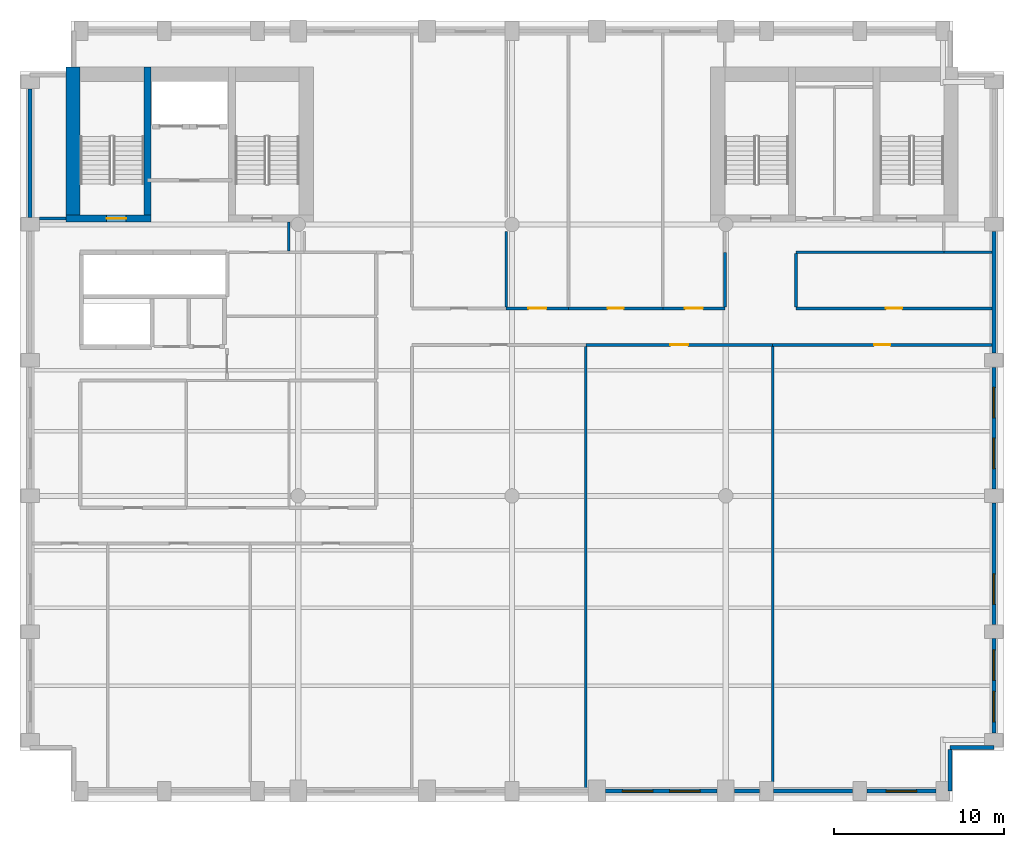
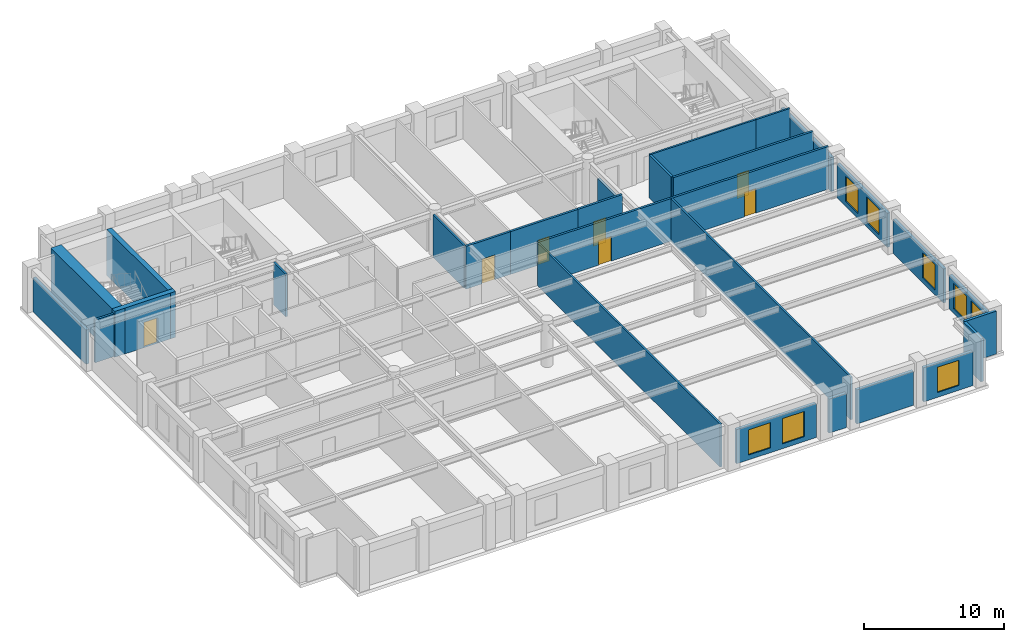
# One storey, part 4 of 8: 29 walls, 8 windows, 7 doors, 15 openings.
"""IFC4 building model written with IfcOpenShell, lengths in metres."""

from ifc_helpers import new_model, si_unit, direction, frame, frame_2d, origin, place, context, subcontext, project, spatial, rectangle, extrude, material, layer, layer_set, type_object, element, fill, save


model = new_model("IFC4")

# Units and contexts
model_context = context("Model", 3, precision=1e-05, world=origin(), true_north=direction((0.0, 1.0)))
body_context = subcontext(model_context, "Body", "Model", "MODEL_VIEW")
ifc_project = project(units=[si_unit("LENGTHUNIT", "METRE"), si_unit("AREAUNIT", "SQUARE_METRE"), si_unit("VOLUMEUNIT", "CUBIC_METRE"), si_unit("PLANEANGLEUNIT", "RADIAN"), si_unit("MASSUNIT", "GRAM", prefix="KILO")], contexts=[model_context])

# Site, building, storey
site_placement = place(None, origin())
site = spatial("IfcSite", under=ifc_project, at=site_placement, CompositionType="ELEMENT")
building_placement = place(site_placement, origin())
building = spatial("IfcBuilding", under=site, at=building_placement, Name="Sulina Concourse Tower", CompositionType="ELEMENT")
storey_placement = place(building_placement, frame((0.0, 0.0, 174.60009765625)))
storey = spatial("IfcBuildingStorey", under=building, at=storey_placement, Name="L42", CompositionType="ELEMENT", Elevation=174.60009765625)

# Wall, openings, windows
ifc_material_1 = material(Name="Precast concrete C50/60", Category="concrete")
ifc_layer_1 = layer(ifc_material_1, 0.239990234375)
ifc_layer_set_1 = layer_set([ifc_layer_1], Name="Precast concrete C50/60")
wall_type_1 = type_object("IfcWallType", Name="Crown Precast Masonry-Frame Facade Wall 240mm", PredefinedType="SOLIDWALL", material=ifc_layer_set_1)
wall_1_placement = place(storey_placement, frame((41.080078125, 0.60009765625, 0.0), z_axis=(0.0, 0.0, 1.0), x_axis=(-1.0, 0.0, 0.0)))
wall_1 = element("IfcWall", 1, at=wall_1_placement, inside=storey, type_object=wall_type_1, Name="L42 exterior precast wall S7", PredefinedType="SOLIDWALL", context=body_context, shape_type="SweptSolid", body=[
    extrude(rectangle(XDim=6.56005859375, YDim=0.239990234375, at=frame_2d((3.280029296875, 0.0))), origin(), (0.0, 0.0, 1.0), 2.974853515625),
])
opening_1_placement = place(wall_1_placement, frame((0.98681640625, 0.0, 0.419921875)))
opening_1 = element("IfcOpeningElement", 2, at=opening_1_placement, cuts=wall_1, Name="Opening WN-25", PredefinedType="OPENING", context=body_context, shape_type="SweptSolid", body=[
    extrude(rectangle(XDim=1.800048828125, YDim=2.199951171875, at=frame_2d((0.89990234375, 1.10009765625))), frame((0.0, 0.1298828125, 0.0), z_axis=(0.0, -1.0, 0.0), x_axis=(1.0, 0.0, 0.0)), (0.0, 0.0, 1.0), 0.260009765625),
])
opening_2_placement = place(wall_1_placement, frame((3.773193359375, 0.0, 0.419921875)))
opening_2 = element("IfcOpeningElement", 3, at=opening_2_placement, cuts=wall_1, Name="Opening WN-25", PredefinedType="OPENING", context=body_context, shape_type="SweptSolid", body=[
    extrude(rectangle(XDim=1.800048828125, YDim=2.199951171875, at=frame_2d((0.89990234375, 1.10009765625))), frame((0.0, 0.1298828125, 0.0), z_axis=(0.0, -1.0, 0.0), x_axis=(1.0, 0.0, 0.0)), (0.0, 0.0, 1.0), 0.260009765625),
])
ifc_material_2 = material(Name="Low-E solar double glazing in bronze aluminium", Category="aluminium")
window_type = type_object("IfcWindowType", Name="Punched Masonry-Frame Window 1800x2200", PartitioningType="SINGLE_PANEL", PredefinedType="WINDOW", material=ifc_material_2)
window_1_placement = place(opening_1_placement, origin())
window_1 = element("IfcWindow", 4, at=window_1_placement, inside=storey, type_object=window_type, Name="L42 punched window S7-1", OverallHeight=2.199951171875, OverallWidth=1.800048828125, PartitioningType="SINGLE_PANEL", PredefinedType="WINDOW", context=body_context, shape_type="SweptSolid", body=[
    extrude(rectangle(XDim=1.800048828125, YDim=2.199951171875, at=frame_2d((0.89990234375, 1.10009765625))), frame((0.0, 0.030029296875, 0.0), z_axis=(0.0, -1.0, 0.0), x_axis=(1.0, 0.0, 0.0)), (0.0, 0.0, 1.0), 0.06005859375),
])
fill(opening_1, window_1)
window_2_placement = place(opening_2_placement, origin())
window_2 = element("IfcWindow", 5, at=window_2_placement, inside=storey, type_object=window_type, Name="L42 punched window S7-2", OverallHeight=2.199951171875, OverallWidth=1.800048828125, PartitioningType="SINGLE_PANEL", PredefinedType="WINDOW", context=body_context, shape_type="SweptSolid", body=[
    extrude(rectangle(XDim=1.800048828125, YDim=2.199951171875, at=frame_2d((0.89990234375, 1.10009765625))), frame((0.0, 0.030029296875, 0.0), z_axis=(0.0, -1.0, 0.0), x_axis=(1.0, 0.0, 0.0)), (0.0, 0.0, 1.0), 0.06005859375),
])
fill(opening_2, window_2)

# Walls
wall_2_placement = place(storey_placement, frame((43.580078125, 0.60009765625, 0.0), z_axis=(0.0, 0.0, 1.0), x_axis=(-1.0, 0.0, 0.0)))
element("IfcWall", 6, at=wall_2_placement, inside=storey, type_object=wall_type_1, Name="L42 exterior precast wall S8", PredefinedType="SOLIDWALL", context=body_context, shape_type="SweptSolid", body=[
    extrude(rectangle(XDim=1.4599609375, YDim=0.239990234375, at=frame_2d((0.72998046875, 0.0))), origin(), (0.0, 0.0, 1.0), 2.974853515625),
])
wall_3_placement = place(storey_placement, frame((49.080078125, 0.60009765625, 0.0), z_axis=(0.0, 0.0, 1.0), x_axis=(-1.0, 0.0, 0.0)))
element("IfcWall", 7, at=wall_3_placement, inside=storey, type_object=wall_type_1, Name="L42 exterior precast wall S9", PredefinedType="SOLIDWALL", context=body_context, shape_type="SweptSolid", body=[
    extrude(rectangle(XDim=4.66015625, YDim=0.239990234375, at=frame_2d((2.330078125, 0.0))), origin(), (0.0, 0.0, 1.0), 2.974853515625),
])

# Wall, opening, window
wall_4_placement = place(storey_placement, frame((53.97998046875, 0.60009765625, 0.0), z_axis=(0.0, 0.0, 1.0), x_axis=(-1.0, 0.0, 0.0)))
wall_4 = element("IfcWall", 8, at=wall_4_placement, inside=storey, type_object=wall_type_1, Name="L42 exterior precast wall S10", PredefinedType="SOLIDWALL", context=body_context, shape_type="SweptSolid", body=[
    extrude(rectangle(XDim=4.06005859375, YDim=0.239990234375, at=frame_2d((2.030029296875, 0.0))), origin(), (0.0, 0.0, 1.0), 2.974853515625),
])
opening_3_placement = place(wall_4_placement, frame((1.1298828125, 0.0, 0.419921875)))
opening_3 = element("IfcOpeningElement", 9, at=opening_3_placement, cuts=wall_4, Name="Opening WN-25", PredefinedType="OPENING", context=body_context, shape_type="SweptSolid", body=[
    extrude(rectangle(XDim=1.800048828125, YDim=2.199951171875, at=frame_2d((0.89990234375, 1.10009765625))), frame((0.0, 0.1298828125, 0.0), z_axis=(0.0, -1.0, 0.0), x_axis=(1.0, 0.0, 0.0)), (0.0, 0.0, 1.0), 0.260009765625),
])
window_3_placement = place(opening_3_placement, origin())
window_3 = element("IfcWindow", 10, at=window_3_placement, inside=storey, type_object=window_type, Name="L42 punched window S10-1", OverallHeight=2.199951171875, OverallWidth=1.800048828125, PartitioningType="SINGLE_PANEL", PredefinedType="WINDOW", context=body_context, shape_type="SweptSolid", body=[
    extrude(rectangle(XDim=1.800048828125, YDim=2.199951171875, at=frame_2d((0.89990234375, 1.10009765625))), frame((0.0, 0.030029296875, 0.0), z_axis=(0.0, -1.0, 0.0), x_axis=(1.0, 0.0, 0.0)), (0.0, 0.0, 1.0), 0.06005859375),
])
fill(opening_3, window_3)

# Wall
wall_5_placement = place(storey_placement, frame((0.60009765625, 34.419921875, 0.0), z_axis=(0.0, 0.0, 1.0), x_axis=(0.0, 1.0, 0.0)))
element("IfcWall", 11, at=wall_5_placement, inside=storey, type_object=wall_type_1, Name="L42 exterior precast wall W5", PredefinedType="SOLIDWALL", context=body_context, shape_type="SweptSolid", body=[
    extrude(rectangle(XDim=7.56005859375, YDim=0.239990234375, at=frame_2d((3.780029296875, 0.0))), origin(), (0.0, 0.0, 1.0), 2.974853515625),
])

# Wall, openings, windows
wall_6_placement = place(storey_placement, frame((57.39990234375, 9.580078125, 0.0), z_axis=(0.0, 0.0, 1.0), x_axis=(0.0, -1.0, 0.0)))
wall_6 = element("IfcWall", 12, at=wall_6_placement, inside=storey, type_object=wall_type_1, Name="L42 exterior precast wall E1", PredefinedType="SOLIDWALL", context=body_context, shape_type="SweptSolid", body=[
    extrude(rectangle(XDim=5.56005859375, YDim=0.239990234375, at=frame_2d((2.780029296875, 0.0))), origin(), (0.0, 0.0, 1.0), 2.974853515625),
])
opening_4_placement = place(wall_6_placement, frame((0.6533203125, 0.0, 0.419921875)))
opening_4 = element("IfcOpeningElement", 13, at=opening_4_placement, cuts=wall_6, Name="Opening WN-25", PredefinedType="OPENING", context=body_context, shape_type="SweptSolid", body=[
    extrude(rectangle(XDim=1.800048828125, YDim=2.199951171875, at=frame_2d((0.89990234375, 1.10009765625))), frame((0.0, 0.1298828125, 0.0), z_axis=(0.0, -1.0, 0.0), x_axis=(1.0, 0.0, 0.0)), (0.0, 0.0, 1.0), 0.260009765625),
])
opening_5_placement = place(wall_6_placement, frame((3.106689453125, 0.0, 0.419921875)))
opening_5 = element("IfcOpeningElement", 14, at=opening_5_placement, cuts=wall_6, Name="Opening WN-25", PredefinedType="OPENING", context=body_context, shape_type="SweptSolid", body=[
    extrude(rectangle(XDim=1.800048828125, YDim=2.199951171875, at=frame_2d((0.89990234375, 1.10009765625))), frame((0.0, 0.1298828125, 0.0), z_axis=(0.0, -1.0, 0.0), x_axis=(1.0, 0.0, 0.0)), (0.0, 0.0, 1.0), 0.260009765625),
])
window_4_placement = place(opening_4_placement, origin())
window_4 = element("IfcWindow", 15, at=window_4_placement, inside=storey, type_object=window_type, Name="L42 punched window E1-1", OverallHeight=2.199951171875, OverallWidth=1.800048828125, PartitioningType="SINGLE_PANEL", PredefinedType="WINDOW", context=body_context, shape_type="SweptSolid", body=[
    extrude(rectangle(XDim=1.800048828125, YDim=2.199951171875, at=frame_2d((0.89990234375, 1.10009765625))), frame((0.0, 0.030029296875, 0.0), z_axis=(0.0, -1.0, 0.0), x_axis=(1.0, 0.0, 0.0)), (0.0, 0.0, 1.0), 0.06005859375),
])
fill(opening_4, window_4)
window_5_placement = place(opening_5_placement, origin())
window_5 = element("IfcWindow", 16, at=window_5_placement, inside=storey, type_object=window_type, Name="L42 punched window E1-2", OverallHeight=2.199951171875, OverallWidth=1.800048828125, PartitioningType="SINGLE_PANEL", PredefinedType="WINDOW", context=body_context, shape_type="SweptSolid", body=[
    extrude(rectangle(XDim=1.800048828125, YDim=2.199951171875, at=frame_2d((0.89990234375, 1.10009765625))), frame((0.0, 0.030029296875, 0.0), z_axis=(0.0, -1.0, 0.0), x_axis=(1.0, 0.0, 0.0)), (0.0, 0.0, 1.0), 0.06005859375),
])
fill(opening_5, window_5)

# Wall, opening, window
wall_7_placement = place(storey_placement, frame((57.39990234375, 17.580078125, 0.0), z_axis=(0.0, 0.0, 1.0), x_axis=(0.0, -1.0, 0.0)))
wall_7 = element("IfcWall", 17, at=wall_7_placement, inside=storey, type_object=wall_type_1, Name="L42 exterior precast wall E2", PredefinedType="SOLIDWALL", context=body_context, shape_type="SweptSolid", body=[
    extrude(rectangle(XDim=7.16015625, YDim=0.239990234375, at=frame_2d((3.580078125, 0.0))), origin(), (0.0, 0.0, 1.0), 2.974853515625),
])
opening_6_placement = place(wall_7_placement, frame((4.17333984375, 0.0, 0.419921875)))
opening_6 = element("IfcOpeningElement", 18, at=opening_6_placement, cuts=wall_7, Name="Opening WN-25", PredefinedType="OPENING", context=body_context, shape_type="SweptSolid", body=[
    extrude(rectangle(XDim=1.800048828125, YDim=2.199951171875, at=frame_2d((0.89990234375, 1.10009765625))), frame((0.0, 0.1298828125, 0.0), z_axis=(0.0, -1.0, 0.0), x_axis=(1.0, 0.0, 0.0)), (0.0, 0.0, 1.0), 0.260009765625),
])
window_6_placement = place(opening_6_placement, origin())
window_6 = element("IfcWindow", 19, at=window_6_placement, inside=storey, type_object=window_type, Name="L42 punched window E2-1", OverallHeight=2.199951171875, OverallWidth=1.800048828125, PartitioningType="SINGLE_PANEL", PredefinedType="WINDOW", context=body_context, shape_type="SweptSolid", body=[
    extrude(rectangle(XDim=1.800048828125, YDim=2.199951171875, at=frame_2d((0.89990234375, 1.10009765625))), frame((0.0, 0.030029296875, 0.0), z_axis=(0.0, -1.0, 0.0), x_axis=(1.0, 0.0, 0.0)), (0.0, 0.0, 1.0), 0.06005859375),
])
fill(opening_6, window_6)

# Wall, openings, windows
wall_8_placement = place(storey_placement, frame((57.39990234375, 25.580078125, 0.0), z_axis=(0.0, 0.0, 1.0), x_axis=(0.0, -1.0, 0.0)))
wall_8 = element("IfcWall", 20, at=wall_8_placement, inside=storey, type_object=wall_type_1, Name="L42 exterior precast wall E3", PredefinedType="SOLIDWALL", context=body_context, shape_type="SweptSolid", body=[
    extrude(rectangle(XDim=7.16015625, YDim=0.239990234375, at=frame_2d((3.580078125, 0.0))), origin(), (0.0, 0.0, 1.0), 2.974853515625),
])
opening_7_placement = place(wall_8_placement, frame((1.186767578125, 0.0, 0.419921875)))
opening_7 = element("IfcOpeningElement", 21, at=opening_7_placement, cuts=wall_8, Name="Opening WN-25", PredefinedType="OPENING", context=body_context, shape_type="SweptSolid", body=[
    extrude(rectangle(XDim=1.800048828125, YDim=2.199951171875, at=frame_2d((0.89990234375, 1.10009765625))), frame((0.0, 0.1298828125, 0.0), z_axis=(0.0, -1.0, 0.0), x_axis=(1.0, 0.0, 0.0)), (0.0, 0.0, 1.0), 0.260009765625),
])
opening_8_placement = place(wall_8_placement, frame((4.17333984375, 0.0, 0.419921875)))
opening_8 = element("IfcOpeningElement", 22, at=opening_8_placement, cuts=wall_8, Name="Opening WN-25", PredefinedType="OPENING", context=body_context, shape_type="SweptSolid", body=[
    extrude(rectangle(XDim=1.800048828125, YDim=2.199951171875, at=frame_2d((0.89990234375, 1.10009765625))), frame((0.0, 0.1298828125, 0.0), z_axis=(0.0, -1.0, 0.0), x_axis=(1.0, 0.0, 0.0)), (0.0, 0.0, 1.0), 0.260009765625),
])
window_7_placement = place(opening_7_placement, origin())
window_7 = element("IfcWindow", 23, at=window_7_placement, inside=storey, type_object=window_type, Name="L42 punched window E3-1", OverallHeight=2.199951171875, OverallWidth=1.800048828125, PartitioningType="SINGLE_PANEL", PredefinedType="WINDOW", context=body_context, shape_type="SweptSolid", body=[
    extrude(rectangle(XDim=1.800048828125, YDim=2.199951171875, at=frame_2d((0.89990234375, 1.10009765625))), frame((0.0, 0.030029296875, 0.0), z_axis=(0.0, -1.0, 0.0), x_axis=(1.0, 0.0, 0.0)), (0.0, 0.0, 1.0), 0.06005859375),
])
fill(opening_7, window_7)
window_8_placement = place(opening_8_placement, origin())
window_8 = element("IfcWindow", 24, at=window_8_placement, inside=storey, type_object=window_type, Name="L42 punched window E3-2", OverallHeight=2.199951171875, OverallWidth=1.800048828125, PartitioningType="SINGLE_PANEL", PredefinedType="WINDOW", context=body_context, shape_type="SweptSolid", body=[
    extrude(rectangle(XDim=1.800048828125, YDim=2.199951171875, at=frame_2d((0.89990234375, 1.10009765625))), frame((0.0, 0.030029296875, 0.0), z_axis=(0.0, -1.0, 0.0), x_axis=(1.0, 0.0, 0.0)), (0.0, 0.0, 1.0), 0.06005859375),
])
fill(opening_8, window_8)

# Walls
wall_9_placement = place(storey_placement, frame((57.39990234375, 33.580078125, 0.0), z_axis=(0.0, 0.0, 1.0), x_axis=(0.0, -1.0, 0.0)))
element("IfcWall", 25, at=wall_9_placement, inside=storey, type_object=wall_type_1, Name="L42 exterior precast wall E4", PredefinedType="SOLIDWALL", context=body_context, shape_type="SweptSolid", body=[
    extrude(rectangle(XDim=7.16015625, YDim=0.239990234375, at=frame_2d((3.580078125, 0.0))), origin(), (0.0, 0.0, 1.0), 2.974853515625),
])
wall_10_placement = place(storey_placement, frame((57.39990234375, 3.179931640625, 0.0), z_axis=(0.0, 0.0, 1.0), x_axis=(-1.0, 0.0, 0.0)))
element("IfcWall", 26, at=wall_10_placement, inside=storey, type_object=wall_type_1, Name="L42 exterior precast wall CSE1", PredefinedType="SOLIDWALL", context=body_context, shape_type="SweptSolid", body=[
    extrude(rectangle(XDim=2.579833984375, YDim=0.239990234375, at=frame_2d((1.2900390625, 0.0))), origin(), (0.0, 0.0, 1.0), 3.724853515625),
])
wall_11_placement = place(storey_placement, frame((54.820068359375, 3.054931640625, 0.0), z_axis=(0.0, 0.0, 1.0), x_axis=(0.0, -1.0, 0.0)))
element("IfcWall", 27, at=wall_11_placement, inside=storey, type_object=wall_type_1, Name="L42 exterior precast wall CSE2", PredefinedType="SOLIDWALL", context=body_context, shape_type="SweptSolid", body=[
    extrude(rectangle(XDim=2.454833984375, YDim=0.239990234375, at=frame_2d((1.2275390625, 0.0))), origin(), (0.0, 0.0, 1.0), 3.724853515625),
])
ifc_material_3 = material(Name="Gypsum board on steel stud", Category="steel")
ifc_layer_2 = layer(ifc_material_3, 0.14990234375)
ifc_layer_set_2 = layer_set([ifc_layer_2], Name="Gypsum board on steel stud")
wall_type_2 = type_object("IfcWallType", Name="Inter-Tenancy Acoustic Partition 150mm", PredefinedType="PARTITIONING", material=ifc_layer_set_2)
wall_12_placement = place(storey_placement, frame((45.75, 32.35009765625, 0.0), z_axis=(0.0, 0.0, 1.0), x_axis=(1.0, 0.0, 0.0)))
element("IfcWall", 28, at=wall_12_placement, inside=storey, type_object=wall_type_2, Name="L42 interior partition 026", PredefinedType="PARTITIONING", context=body_context, shape_type="SweptSolid", body=[
    extrude(rectangle(XDim=8.699951171875, YDim=0.14990234375, at=frame_2d((4.35009765625, 0.0))), origin(), (0.0, 0.0, 1.0), 3.724853515625),
])
wall_13_placement = place(storey_placement, frame((54.449951171875, 32.35009765625, 0.0), z_axis=(0.0, 0.0, 1.0), x_axis=(1.0, 0.0, 0.0)))
element("IfcWall", 29, at=wall_13_placement, inside=storey, type_object=wall_type_2, Name="L42 interior partition 027", PredefinedType="PARTITIONING", context=body_context, shape_type="SweptSolid", body=[
    extrude(rectangle(XDim=2.830078125, YDim=0.14990234375, at=frame_2d((1.4150390625, 0.0))), origin(), (0.0, 0.0, 1.0), 3.724853515625),
])
wall_14_placement = place(storey_placement, frame((15.85009765625, 32.425048828125, 0.0), z_axis=(0.0, 0.0, 1.0), x_axis=(0.0, 1.0, 0.0)))
element("IfcWall", 30, at=wall_14_placement, inside=storey, type_object=wall_type_2, Name="L42 interior partition 039", PredefinedType="PARTITIONING", context=body_context, shape_type="SweptSolid", body=[
    extrude(rectangle(XDim=1.724853515625, YDim=0.14990234375, at=frame_2d((0.8623046875, 0.0))), origin(), (0.0, 0.0, 1.0), 3.724853515625),
])
wall_15_placement = place(storey_placement, frame((28.659912109375, 29.139892578125, 0.0), z_axis=(0.0, 0.0, 1.0), x_axis=(0.0, 1.0, 0.0)))
element("IfcWall", 31, at=wall_15_placement, inside=storey, type_object=wall_type_2, Name="L42 interior partition 049", PredefinedType="PARTITIONING", context=body_context, shape_type="SweptSolid", body=[
    extrude(rectangle(XDim=4.43505859375, YDim=0.14990234375, at=frame_2d((2.217529296875, 0.0))), origin(), (0.0, 0.0, 1.0), 3.724853515625),
])
wall_16_placement = place(storey_placement, frame((33.360107421875, 0.719970703125, 0.0), z_axis=(0.0, 0.0, 1.0), x_axis=(0.0, 1.0, 0.0)))
element("IfcWall", 32, at=wall_16_placement, inside=storey, type_object=wall_type_2, Name="L42 interior partition 052", PredefinedType="PARTITIONING", context=body_context, shape_type="SweptSolid", body=[
    extrude(rectangle(XDim=26.090087890625, YDim=0.14990234375, at=frame_2d((13.044921875, 0.0))), origin(), (0.0, 0.0, 1.0), 3.724853515625),
])
wall_17_placement = place(storey_placement, frame((44.360107421875, 1.14990234375, 0.0), z_axis=(0.0, 0.0, 1.0), x_axis=(0.0, 1.0, 0.0)))
element("IfcWall", 33, at=wall_17_placement, inside=storey, type_object=wall_type_2, Name="L42 interior partition 057", PredefinedType="PARTITIONING", context=body_context, shape_type="SweptSolid", body=[
    extrude(rectangle(XDim=25.66015625, YDim=0.14990234375, at=frame_2d((12.830078125, 0.0))), origin(), (0.0, 0.0, 1.0), 3.724853515625),
])

# Wall, opening, door
ifc_material_4 = material(Name="Gypsum board on steel stud", Category="steel")
ifc_layer_3 = layer(ifc_material_4, 0.179931640625)
ifc_layer_set_3 = layer_set([ifc_layer_3], Name="Gypsum board on steel stud")
wall_type_3 = type_object("IfcWallType", Name="Protected Corridor & Riser Partition 180mm", PredefinedType="PARTITIONING", material=ifc_layer_set_3)
wall_18_placement = place(storey_placement, frame((33.360107421875, 26.89990234375, 0.0), z_axis=(0.0, 0.0, 1.0), x_axis=(1.0, 0.0, 0.0)))
wall_18 = element("IfcWall", 34, at=wall_18_placement, inside=storey, type_object=wall_type_3, Name="L42 interior partition 014", PredefinedType="PARTITIONING", context=body_context, shape_type="SweptSolid", body=[
    extrude(rectangle(XDim=11.0, YDim=0.179931640625, at=frame_2d((5.5, 0.0))), origin(), (0.0, 0.0, 1.0), 3.724853515625),
])
opening_9_placement = place(wall_18_placement, frame((4.97509765625, 0.0, 0.0)))
opening_9 = element("IfcOpeningElement", 35, at=opening_9_placement, cuts=wall_18, Name="Opening DR-37", PredefinedType="OPENING", context=body_context, shape_type="SweptSolid", body=[
    extrude(rectangle(XDim=1.050048828125, YDim=2.14990234375, at=frame_2d((0.52490234375, 1.074951171875))), frame((0.0, 0.099853515625, 0.0), z_axis=(0.0, -1.0, 0.0), x_axis=(1.0, 0.0, 0.0)), (0.0, 0.0, 1.0), 0.199951171875),
])
ifc_material_5 = material(Name="Oak-veneered fire door leaf")
ifc_layer_4 = layer(ifc_material_5, 0.050048828125)
ifc_layer_set_4 = layer_set([ifc_layer_4], Name="Oak-veneered fire door leaf")
door_type_1 = type_object("IfcDoorType", Name="Tenant Suite Entrance Fire Door 1050x2150", OperationType="NOTDEFINED", PredefinedType="DOOR", material=ifc_layer_set_4)
door_1_placement = place(opening_9_placement, origin())
door_1 = element("IfcDoor", 36, at=door_1_placement, inside=storey, type_object=door_type_1, Name="L42 interior door L42-S05", OperationType="SINGLE_SWING_RIGHT", OverallHeight=2.14990234375, OverallWidth=1.050048828125, PredefinedType="DOOR", context=body_context, shape_type="SweptSolid", body=[
    extrude(rectangle(XDim=1.050048828125, YDim=2.14990234375, at=frame_2d((0.52490234375, 1.074951171875))), frame((0.0, 0.02490234375, 0.0), z_axis=(0.0, -1.0, 0.0), x_axis=(1.0, 0.0, 0.0)), (0.0, 0.0, 1.0), 0.050048828125),
])
fill(opening_9, door_1)

wall_19_placement = place(storey_placement, frame((44.360107421875, 26.89990234375, 0.0), z_axis=(0.0, 0.0, 1.0), x_axis=(1.0, 0.0, 0.0)))
wall_19 = element("IfcWall", 37, at=wall_19_placement, inside=storey, type_object=wall_type_3, Name="L42 interior partition 015", PredefinedType="PARTITIONING", context=body_context, shape_type="SweptSolid", body=[
    extrude(rectangle(XDim=12.919921875, YDim=0.179931640625, at=frame_2d((6.4599609375, 0.0))), origin(), (0.0, 0.0, 1.0), 3.724853515625),
])
opening_10_placement = place(wall_19_placement, frame((5.985107421875, 0.0, 0.0)))
opening_10 = element("IfcOpeningElement", 38, at=opening_10_placement, cuts=wall_19, Name="Opening DR-19", PredefinedType="OPENING", context=body_context, shape_type="SweptSolid", body=[
    extrude(rectangle(XDim=0.949951171875, YDim=2.14990234375, at=frame_2d((0.47509765625, 1.074951171875))), frame((0.0, 0.099853515625, 0.0), z_axis=(0.0, -1.0, 0.0), x_axis=(1.0, 0.0, 0.0)), (0.0, 0.0, 1.0), 0.199951171875),
])
ifc_material_6 = material(Name="Oak-veneered acoustic timber leaf", Category="wood")
ifc_layer_5 = layer(ifc_material_6, 0.050048828125)
ifc_layer_set_5 = layer_set([ifc_layer_5], Name="Oak-veneered acoustic timber leaf")
door_type_2 = type_object("IfcDoorType", Name="Cellular Office & Meeting Door 950x2150", OperationType="NOTDEFINED", PredefinedType="DOOR", material=ifc_layer_set_5)
door_2_placement = place(opening_10_placement, origin())
door_2 = element("IfcDoor", 39, at=door_2_placement, inside=storey, type_object=door_type_2, Name="L42 interior door L42-S06", OperationType="SINGLE_SWING_LEFT", OverallHeight=2.14990234375, OverallWidth=0.949951171875, PredefinedType="DOOR", context=body_context, shape_type="SweptSolid", body=[
    extrude(rectangle(XDim=0.949951171875, YDim=2.14990234375, at=frame_2d((0.47509765625, 1.074951171875))), frame((0.0, 0.02490234375, 0.0), z_axis=(0.0, -1.0, 0.0), x_axis=(1.0, 0.0, 0.0)), (0.0, 0.0, 1.0), 0.050048828125),
])
fill(opening_10, door_2)

wall_20_placement = place(storey_placement, frame((28.659912109375, 29.050048828125, 0.0), z_axis=(0.0, 0.0, 1.0), x_axis=(1.0, 0.0, 0.0)))
wall_20 = element("IfcWall", 40, at=wall_20_placement, inside=storey, type_object=wall_type_3, Name="L42 interior partition 018", PredefinedType="PARTITIONING", context=body_context, shape_type="SweptSolid", body=[
    extrude(rectangle(XDim=3.670166015625, YDim=0.179931640625, at=frame_2d((1.8349609375, 0.0))), origin(), (0.0, 0.0, 1.0), 3.724853515625),
])
opening_11_placement = place(wall_20_placement, frame((1.31005859375, 0.0, 0.0)))
opening_11 = element("IfcOpeningElement", 41, at=opening_11_placement, cuts=wall_20, Name="Opening DR-37", PredefinedType="OPENING", context=body_context, shape_type="SweptSolid", body=[
    extrude(rectangle(XDim=1.050048828125, YDim=2.14990234375, at=frame_2d((0.52490234375, 1.074951171875))), frame((0.0, 0.099853515625, 0.0), z_axis=(0.0, -1.0, 0.0), x_axis=(1.0, 0.0, 0.0)), (0.0, 0.0, 1.0), 0.199951171875),
])
door_3_placement = place(opening_11_placement, origin())
door_3 = element("IfcDoor", 42, at=door_3_placement, inside=storey, type_object=door_type_1, Name="L42 interior door L42-NC2", OperationType="SINGLE_SWING_LEFT", OverallHeight=2.14990234375, OverallWidth=1.050048828125, PredefinedType="DOOR", context=body_context, shape_type="SweptSolid", body=[
    extrude(rectangle(XDim=1.050048828125, YDim=2.14990234375, at=frame_2d((0.52490234375, 1.074951171875))), frame((0.0, 0.02490234375, 0.0), z_axis=(0.0, -1.0, 0.0), x_axis=(1.0, 0.0, 0.0)), (0.0, 0.0, 1.0), 0.050048828125),
])
fill(opening_11, door_3)

wall_21_placement = place(storey_placement, frame((32.330078125, 29.050048828125, 0.0), z_axis=(0.0, 0.0, 1.0), x_axis=(1.0, 0.0, 0.0)))
wall_21 = element("IfcWall", 43, at=wall_21_placement, inside=storey, type_object=wall_type_3, Name="L42 interior partition 019", PredefinedType="PARTITIONING", context=body_context, shape_type="SweptSolid", body=[
    extrude(rectangle(XDim=5.559814453125, YDim=0.179931640625, at=frame_2d((2.77978515625, 0.0))), origin(), (0.0, 0.0, 1.0), 3.724853515625),
])
opening_12_placement = place(wall_21_placement, frame((2.304931640625, 0.0, 0.0)))
opening_12 = element("IfcOpeningElement", 44, at=opening_12_placement, cuts=wall_21, Name="Opening DR-19", PredefinedType="OPENING", context=body_context, shape_type="SweptSolid", body=[
    extrude(rectangle(XDim=0.949951171875, YDim=2.14990234375, at=frame_2d((0.47509765625, 1.074951171875))), frame((0.0, 0.099853515625, 0.0), z_axis=(0.0, -1.0, 0.0), x_axis=(1.0, 0.0, 0.0)), (0.0, 0.0, 1.0), 0.199951171875),
])
door_4_placement = place(opening_12_placement, origin())
door_4 = element("IfcDoor", 45, at=door_4_placement, inside=storey, type_object=door_type_2, Name="L42 interior door L42-NC3", OperationType="SINGLE_SWING_RIGHT", OverallHeight=2.14990234375, OverallWidth=0.949951171875, PredefinedType="DOOR", context=body_context, shape_type="SweptSolid", body=[
    extrude(rectangle(XDim=0.949951171875, YDim=2.14990234375, at=frame_2d((0.47509765625, 1.074951171875))), frame((0.0, 0.02490234375, 0.0), z_axis=(0.0, -1.0, 0.0), x_axis=(1.0, 0.0, 0.0)), (0.0, 0.0, 1.0), 0.050048828125),
])
fill(opening_12, door_4)

wall_22_placement = place(storey_placement, frame((37.889892578125, 29.050048828125, 0.0), z_axis=(0.0, 0.0, 1.0), x_axis=(1.0, 0.0, 0.0)))
wall_22 = element("IfcWall", 46, at=wall_22_placement, inside=storey, type_object=wall_type_3, Name="L42 interior partition 020", PredefinedType="PARTITIONING", context=body_context, shape_type="SweptSolid", body=[
    extrude(rectangle(XDim=3.66015625, YDim=0.179931640625, at=frame_2d((1.830078125, 0.0))), origin(), (0.0, 0.0, 1.0), 3.724853515625),
])
opening_13_placement = place(wall_22_placement, frame((1.304931640625, 0.0, 0.0)))
opening_13 = element("IfcOpeningElement", 47, at=opening_13_placement, cuts=wall_22, Name="Opening DR-37", PredefinedType="OPENING", context=body_context, shape_type="SweptSolid", body=[
    extrude(rectangle(XDim=1.050048828125, YDim=2.14990234375, at=frame_2d((0.52490234375, 1.074951171875))), frame((0.0, 0.099853515625, 0.0), z_axis=(0.0, -1.0, 0.0), x_axis=(1.0, 0.0, 0.0)), (0.0, 0.0, 1.0), 0.199951171875),
])
door_5_placement = place(opening_13_placement, origin())
door_5 = element("IfcDoor", 48, at=door_5_placement, inside=storey, type_object=door_type_1, Name="L42 interior door L42-NC4", OperationType="SINGLE_SWING_LEFT", OverallHeight=2.14990234375, OverallWidth=1.050048828125, PredefinedType="DOOR", context=body_context, shape_type="SweptSolid", body=[
    extrude(rectangle(XDim=1.050048828125, YDim=2.14990234375, at=frame_2d((0.52490234375, 1.074951171875))), frame((0.0, 0.02490234375, 0.0), z_axis=(0.0, -1.0, 0.0), x_axis=(1.0, 0.0, 0.0)), (0.0, 0.0, 1.0), 0.050048828125),
])
fill(opening_13, door_5)

wall_23_placement = place(storey_placement, frame((45.75, 29.050048828125, 0.0), z_axis=(0.0, 0.0, 1.0), x_axis=(1.0, 0.0, 0.0)))
wall_23 = element("IfcWall", 49, at=wall_23_placement, inside=storey, type_object=wall_type_3, Name="L42 interior partition 021", PredefinedType="PARTITIONING", context=body_context, shape_type="SweptSolid", body=[
    extrude(rectangle(XDim=11.530029296875, YDim=0.179931640625, at=frame_2d((5.76513671875, 0.0))), origin(), (0.0, 0.0, 1.0), 3.724853515625),
])
opening_14_placement = place(wall_23_placement, frame((5.2900390625, 0.0, 0.0)))
opening_14 = element("IfcOpeningElement", 50, at=opening_14_placement, cuts=wall_23, Name="Opening DR-19", PredefinedType="OPENING", context=body_context, shape_type="SweptSolid", body=[
    extrude(rectangle(XDim=0.949951171875, YDim=2.14990234375, at=frame_2d((0.47509765625, 1.074951171875))), frame((0.0, 0.099853515625, 0.0), z_axis=(0.0, -1.0, 0.0), x_axis=(1.0, 0.0, 0.0)), (0.0, 0.0, 1.0), 0.199951171875),
])
door_6_placement = place(opening_14_placement, origin())
door_6 = element("IfcDoor", 51, at=door_6_placement, inside=storey, type_object=door_type_2, Name="L42 interior door L42-NE1", OperationType="SINGLE_SWING_RIGHT", OverallHeight=2.14990234375, OverallWidth=0.949951171875, PredefinedType="DOOR", context=body_context, shape_type="SweptSolid", body=[
    extrude(rectangle(XDim=0.949951171875, YDim=2.14990234375, at=frame_2d((0.47509765625, 1.074951171875))), frame((0.0, 0.02490234375, 0.0), z_axis=(0.0, -1.0, 0.0), x_axis=(1.0, 0.0, 0.0)), (0.0, 0.0, 1.0), 0.050048828125),
])
fill(opening_14, door_6)

# Walls
wall_24_placement = place(storey_placement, frame((1.14990234375, 34.35009765625, 0.0), z_axis=(0.0, 0.0, 1.0), x_axis=(1.0, 0.0, 0.0)))
element("IfcWall", 52, at=wall_24_placement, inside=storey, type_object=wall_type_3, Name="L42 interior partition 028", PredefinedType="PARTITIONING", context=body_context, shape_type="SweptSolid", body=[
    extrude(rectangle(XDim=1.550048828125, YDim=0.179931640625, at=frame_2d((0.77490234375, 0.0))), origin(), (0.0, 0.0, 1.0), 3.724853515625),
])
wall_25_placement = place(storey_placement, frame((41.550048828125, 29.139892578125, 0.0), z_axis=(0.0, 0.0, 1.0), x_axis=(0.0, 1.0, 0.0)))
element("IfcWall", 53, at=wall_25_placement, inside=storey, type_object=wall_type_3, Name="L42 interior partition 054", PredefinedType="PARTITIONING", context=body_context, shape_type="SweptSolid", body=[
    extrude(rectangle(XDim=3.210205078125, YDim=0.179931640625, at=frame_2d((1.60498046875, 0.0))), origin(), (0.0, 0.0, 1.0), 3.119873046875),
])
wall_26_placement = place(storey_placement, frame((45.75, 29.139892578125, 0.0), z_axis=(0.0, 0.0, 1.0), x_axis=(0.0, 1.0, 0.0)))
element("IfcWall", 54, at=wall_26_placement, inside=storey, type_object=wall_type_3, Name="L42 interior partition 058", PredefinedType="PARTITIONING", context=body_context, shape_type="SweptSolid", body=[
    extrude(rectangle(XDim=3.135009765625, YDim=0.179931640625, at=frame_2d((1.5673828125, 0.0))), origin(), (0.0, 0.0, 1.0), 3.724853515625),
])

# Wall, opening, door
ifc_material_7 = material(Name="Concrete C60/75", Category="concrete")
ifc_layer_6 = layer(ifc_material_7, 0.39990234375)
ifc_layer_set_6 = layer_set([ifc_layer_6], Name="Concrete C60/75")
wall_type_4 = type_object("IfcWallType", Name="Protected Stair Core Shear Wall 400mm", PredefinedType="SHEAR", material=ifc_layer_set_6)
wall_27_placement = place(storey_placement, frame((2.699951171875, 34.35009765625, 0.0), z_axis=(0.0, 0.0, 1.0), x_axis=(1.0, 0.0, 0.0)))
wall_27 = element("IfcWall", 55, at=wall_27_placement, inside=storey, type_object=wall_type_4, Name="L42 west core shear wall CW-WS1", PredefinedType="SHEAR", context=body_context, shape_type="SweptSolid", body=[
    extrude(rectangle(XDim=5.010009765625, YDim=0.39990234375, at=frame_2d((2.5048828125, 0.0))), origin(), (0.0, 0.0, 1.0), 4.0),
])
opening_15_placement = place(wall_27_placement, frame((2.39990234375, 0.0, 0.0)))
opening_15 = element("IfcOpeningElement", 56, at=opening_15_placement, cuts=wall_27, Name="Opening DR-60", PredefinedType="OPENING", context=body_context, shape_type="SweptSolid", body=[
    extrude(rectangle(XDim=1.14990234375, YDim=2.199951171875, at=frame_2d((0.574951171875, 1.10009765625))), frame((0.0, 0.2099609375, 0.0), z_axis=(0.0, -1.0, 0.0), x_axis=(1.0, 0.0, 0.0)), (0.0, 0.0, 1.0), 0.419921875),
])
ifc_material_8 = material(Name="Galvanised steel acoustic fire leaf", Category="steel")
ifc_layer_7 = layer(ifc_material_8, 0.054931640625)
ifc_layer_set_7 = layer_set([ifc_layer_7], Name="Galvanised steel acoustic fire leaf")
door_type_3 = type_object("IfcDoorType", Name="Protected Exit Stair Fire Door 1150x2200", OperationType="NOTDEFINED", PredefinedType="DOOR", material=ifc_layer_set_7)
door_7_placement = place(opening_15_placement, origin())
door_7 = element("IfcDoor", 57, at=door_7_placement, inside=storey, type_object=door_type_3, Name="L42 stair ST-1 lobby fire door", OperationType="SINGLE_SWING_LEFT", OverallHeight=2.199951171875, OverallWidth=1.14990234375, PredefinedType="DOOR", context=body_context, shape_type="SweptSolid", body=[
    extrude(rectangle(XDim=1.14990234375, YDim=2.199951171875, at=frame_2d((0.574951171875, 1.10009765625))), frame((0.0, 0.02490234375, 0.0), z_axis=(0.0, -1.0, 0.0), x_axis=(1.0, 0.0, 0.0)), (0.0, 0.0, 1.0), 0.050048828125),
])
fill(opening_15, door_7)

# Walls
wall_28_placement = place(storey_placement, frame((7.510009765625, 34.14990234375, 0.0), z_axis=(0.0, 0.0, 1.0), x_axis=(0.0, 1.0, 0.0)))
element("IfcWall", 58, at=wall_28_placement, inside=storey, type_object=wall_type_4, Name="L42 west core shear wall SW-ST1", PredefinedType="SHEAR", context=body_context, shape_type="SweptSolid", body=[
    extrude(rectangle(XDim=9.130126953125, YDim=0.39990234375, at=frame_2d((4.56494140625, 0.0))), origin(), (0.0, 0.0, 1.0), 4.0),
])
ifc_material_9 = material(Name="Concrete C60/75", Category="concrete")
ifc_layer_8 = layer(ifc_material_9, 0.85009765625)
ifc_layer_set_8 = layer_set([ifc_layer_8], Name="Concrete C60/75")
wall_type_5 = type_object("IfcWallType", Name="Rear Core Shear Wall 850mm", PredefinedType="SHEAR", material=ifc_layer_set_8)
wall_29_placement = place(storey_placement, frame((3.125, 34.14990234375, 0.0), z_axis=(0.0, 0.0, 1.0), x_axis=(0.0, 1.0, 0.0)))
element("IfcWall", 59, at=wall_29_placement, inside=storey, type_object=wall_type_5, Name="L42 west core shear wall CW-WW", PredefinedType="SHEAR", context=body_context, shape_type="SweptSolid", body=[
    extrude(rectangle(XDim=9.130126953125, YDim=0.85009765625, at=frame_2d((4.56494140625, 0.0))), origin(), (0.0, 0.0, 1.0), 4.0),
])

save(model, "model.ifc")
